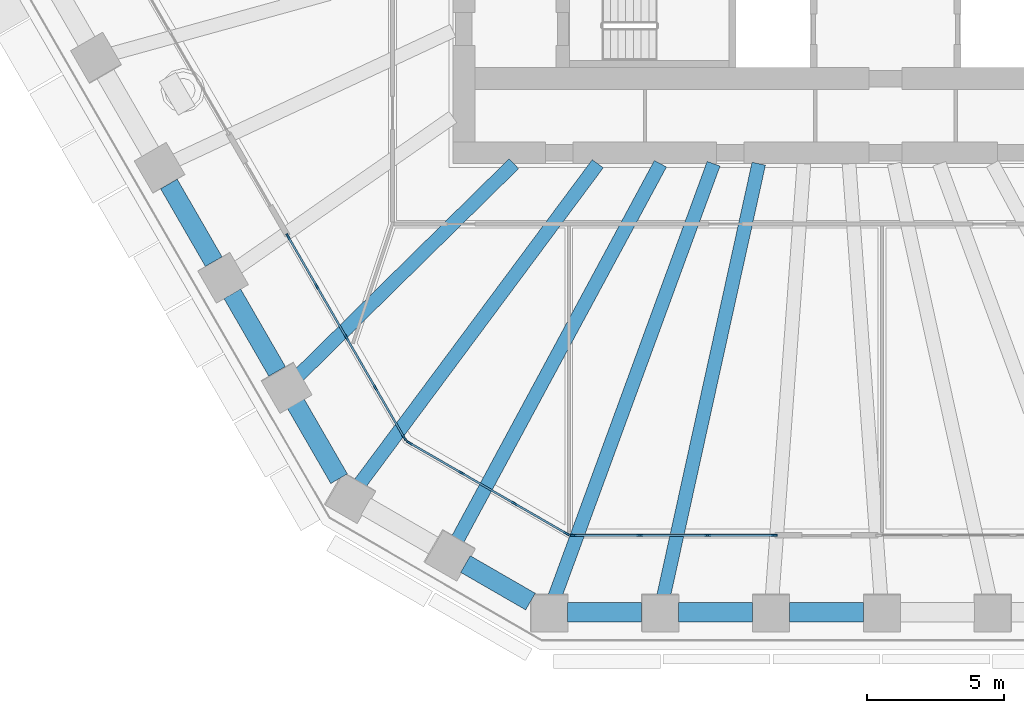
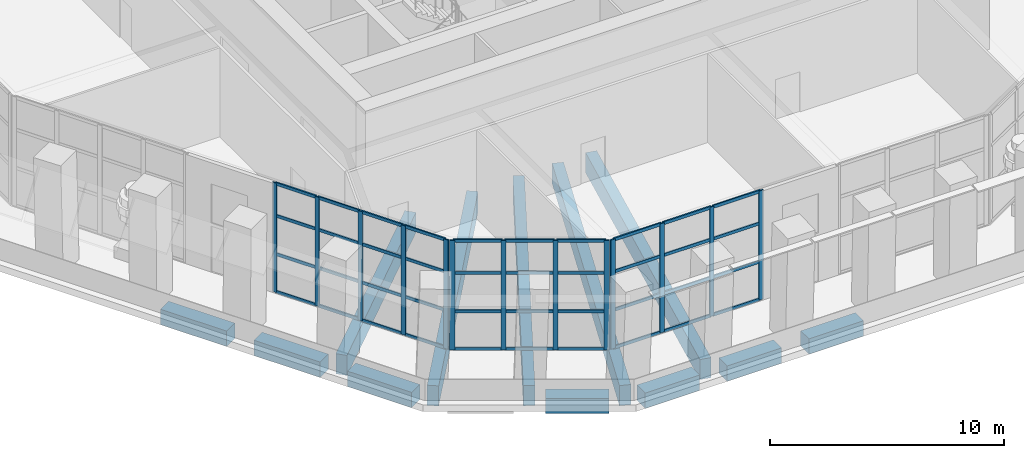
# One storey, part 2 of 22: 53 members, 12 beams, 3 elements without a shape of their own.
"""IFC4 building model written with IfcOpenShell, lengths in metres."""

from ifc_helpers import new_model, si_unit, direction, frame, origin, origin_2d, place, context, subcontext, project, spatial, rectangle, extrude, material, material_profile, profile_set, type_object, element, aggregate, save


model = new_model("IFC4")

# Units and contexts
model_context = context("Model", 3, precision=1e-05, world=origin(), true_north=direction((0.0, 1.0)))
body_context = subcontext(model_context, "Body", "Model", "MODEL_VIEW")
ifc_project = project(units=[si_unit("LENGTHUNIT", "METRE"), si_unit("AREAUNIT", "SQUARE_METRE"), si_unit("VOLUMEUNIT", "CUBIC_METRE"), si_unit("PLANEANGLEUNIT", "RADIAN"), si_unit("MASSUNIT", "GRAM", prefix="KILO")], contexts=[model_context])

# Site, building, storey
site_placement = place(None, origin())
site = spatial("IfcSite", under=ifc_project, at=site_placement, CompositionType="ELEMENT")
building_placement = place(site_placement, origin())
building = spatial("IfcBuilding", under=site, at=building_placement, Name="Frailejon Research Tower", CompositionType="ELEMENT")
storey_placement = place(building_placement, frame((0.0, 0.0, 107.199951171875)))
storey = spatial("IfcBuildingStorey", under=building, at=storey_placement, Name="L23", CompositionType="ELEMENT", Elevation=107.199951171875)

# Beams
ifc_material_1 = material(Name="Concrete C60/75", Category="concrete")
ifc_material_profile_1 = material_profile(ifc_material_1, rectangle(XDim=0.5, YDim=1.050048828125, at=origin_2d()), Name="Girder 500x1050")
ifc_profile_set_1 = profile_set([ifc_material_profile_1], Name="Concrete C60/75")
beam_type_1 = type_object("IfcBeamType", Name="Girder 500x1050", PredefinedType="BEAM", material=ifc_profile_set_1)
beam_1_placement = place(storey_placement, frame((-19.271484375, -18.96142578125, -0.824951171875), z_axis=(0.712819428468, 0.701347604544, 0.0), x_axis=(-0.701347604544, 0.712819428468, 0.0)))
element("IfcBeam", 1, at=beam_1_placement, inside=storey, type_object=beam_type_1, Name="Girder 500x1050", PredefinedType="BEAM", context=body_context, shape_type="SweptSolid", body=[
    extrude(rectangle(XDim=0.5, YDim=1.050048828125, at=origin_2d()), origin(), (0.0, 0.0, 1.0), 11.06640625),
])
beam_2_placement = place(storey_placement, frame((-17.0380859375, -22.9169921875, -0.824951171875), z_axis=(0.596647822668, 0.80250319358, 0.0), x_axis=(-0.80250319358, 0.596647822668, 0.0)))
element("IfcBeam", 2, at=beam_2_placement, inside=storey, type_object=beam_type_1, Name="Girder 500x1050", PredefinedType="BEAM", context=body_context, shape_type="SweptSolid", body=[
    extrude(rectangle(XDim=0.5, YDim=1.050048828125, at=origin_2d()), origin(), (0.0, 0.0, 1.0), 14.6005859375),
])
beam_3_placement = place(storey_placement, frame((-13.477783203125, -24.9736328125, -0.824951171875), z_axis=(0.474929341402, 0.880023931877, 0.0), x_axis=(-0.880023931877, 0.474929341402, 0.0)))
element("IfcBeam", 3, at=beam_3_placement, inside=storey, type_object=beam_type_1, Name="Girder 500x1050", PredefinedType="BEAM", context=body_context, shape_type="SweptSolid", body=[
    extrude(rectangle(XDim=0.5, YDim=1.050048828125, at=origin_2d()), origin(), (0.0, 0.0, 1.0), 15.6513671875),
])
beam_4_placement = place(storey_placement, frame((-9.90478515625, -26.99560546875, -0.824951171875), z_axis=(0.344446929081, 0.93880579091, 0.0), x_axis=(-0.93880579091, 0.344446929081, 0.0)))
element("IfcBeam", 4, at=beam_4_placement, inside=storey, type_object=beam_type_1, Name="Girder 500x1050", PredefinedType="BEAM", context=body_context, shape_type="SweptSolid", body=[
    extrude(rectangle(XDim=0.5, YDim=1.050048828125, at=origin_2d()), origin(), (0.0, 0.0, 1.0), 16.8251953125),
])
beam_5_placement = place(storey_placement, frame((-5.944091796875, -27.001220703125, -0.824951171875), z_axis=(0.214993618571, 0.976615453479, 0.0), x_axis=(-0.976615453479, 0.214993618571, 0.0)))
element("IfcBeam", 5, at=beam_5_placement, inside=storey, type_object=beam_type_1, Name="Girder 500x1050", PredefinedType="BEAM", context=body_context, shape_type="SweptSolid", body=[
    extrude(rectangle(XDim=0.5, YDim=1.050048828125, at=origin_2d()), origin(), (0.0, 0.0, 1.0), 16.1796875),
])

# Curtain wall, members
ifc_material_2 = material(Name="Aluminium curtain wall", Category="aluminium")
curtain_wall_type = type_object("IfcCurtainWallType", Name="Sky lobby curtain wall system", PredefinedType="NOTDEFINED", material=ifc_material_2)
curtain_wall_1_placement = place(storey_placement, origin())
curtain_wall_1 = element("IfcCurtainWall", 6, at=curtain_wall_1_placement, inside=storey, type_object=curtain_wall_type, Name="Curtain wall L23", PredefinedType="NOTDEFINED")
ifc_material_3 = material(Name="Aluminium extrusion", Category="aluminium")
ifc_material_profile_2 = material_profile(ifc_material_3, rectangle(XDim=0.070068359375, YDim=0.219970703125, at=origin_2d()), Name="Sky lobby curtain wall mullion 70x220")
ifc_profile_set_2 = profile_set([ifc_material_profile_2], Name="Aluminium extrusion")
member_type_1 = type_object("IfcMemberType", Name="Sky lobby curtain wall mullion 70x220", PredefinedType="MULLION", material=ifc_profile_set_2)
member_1_placement = place(storey_placement, frame((-19.601806640625, -13.848876953125, 0.0), z_axis=(0.0, 0.0, 1.0), x_axis=(0.866025500668, 0.499999832193, 0.0)))
member_1 = element("IfcMember", 7, at=member_1_placement, type_object=member_type_1, Name="CW4-092 mullion 1", PredefinedType="MULLION", context=body_context, shape_type="SweptSolid", body=[
    extrude(rectangle(XDim=0.070068359375, YDim=0.219970703125, at=origin_2d()), origin(), (0.0, 0.0, 1.0), 5.699951171875),
])
member_2_placement = place(storey_placement, frame((-18.552978515625, -15.665283203125, 0.0), z_axis=(0.0, 0.0, 1.0), x_axis=(0.866025500668, 0.499999832193, 0.0)))
member_2 = element("IfcMember", 8, at=member_2_placement, type_object=member_type_1, Name="CW4-092 mullion 2", PredefinedType="MULLION", context=body_context, shape_type="SweptSolid", body=[
    extrude(rectangle(XDim=0.070068359375, YDim=0.219970703125, at=origin_2d()), origin(), (0.0, 0.0, 1.0), 5.699951171875),
])
member_3_placement = place(storey_placement, frame((-17.48681640625, -17.51220703125, 0.0), z_axis=(0.0, 0.0, 1.0), x_axis=(0.866025500668, 0.499999832193, 0.0)))
member_3 = element("IfcMember", 9, at=member_3_placement, type_object=member_type_1, Name="CW4-092 mullion 3", PredefinedType="MULLION", context=body_context, shape_type="SweptSolid", body=[
    extrude(rectangle(XDim=0.070068359375, YDim=0.219970703125, at=origin_2d()), origin(), (0.0, 0.0, 1.0), 5.699951171875),
])
member_4_placement = place(storey_placement, frame((-16.42041015625, -19.35888671875, 0.0), z_axis=(0.0, 0.0, 1.0), x_axis=(0.866025500668, 0.499999832193, 0.0)))
member_4 = element("IfcMember", 10, at=member_4_placement, type_object=member_type_1, Name="CW4-092 mullion 4", PredefinedType="MULLION", context=body_context, shape_type="SweptSolid", body=[
    extrude(rectangle(XDim=0.070068359375, YDim=0.219970703125, at=origin_2d()), origin(), (0.0, 0.0, 1.0), 5.699951171875),
])
member_5_placement = place(storey_placement, frame((-15.37158203125, -21.17529296875, 0.0), z_axis=(0.0, 0.0, 1.0), x_axis=(0.866025500668, 0.499999832193, 0.0)))
member_5 = element("IfcMember", 11, at=member_5_placement, type_object=member_type_1, Name="CW4-092 mullion 5", PredefinedType="MULLION", context=body_context, shape_type="SweptSolid", body=[
    extrude(rectangle(XDim=0.070068359375, YDim=0.219970703125, at=origin_2d()), origin(), (0.0, 0.0, 1.0), 5.699951171875),
])

curtain_wall_2_placement = place(storey_placement, origin())
curtain_wall_2 = element("IfcCurtainWall", 12, at=curtain_wall_2_placement, inside=storey, type_object=curtain_wall_type, Name="Curtain wall L23", PredefinedType="NOTDEFINED")
member_6_placement = place(storey_placement, frame((-15.187255859375, -21.35986328125, 0.0), z_axis=(0.0, 0.0, 1.0), x_axis=(0.50000949527, 0.866019921618, 0.0)))
member_6 = element("IfcMember", 13, at=member_6_placement, type_object=member_type_1, Name="CW4-093 mullion 1", PredefinedType="MULLION", context=body_context, shape_type="SweptSolid", body=[
    extrude(rectangle(XDim=0.070068359375, YDim=0.219970703125, at=origin_2d()), origin(), (0.0, 0.0, 1.0), 5.699951171875),
])
member_7_placement = place(storey_placement, frame((-13.290771484375, -22.454833984375, 0.0), z_axis=(0.0, 0.0, 1.0), x_axis=(0.50000949527, 0.866019921618, 0.0)))
member_7 = element("IfcMember", 14, at=member_7_placement, type_object=member_type_1, Name="CW4-093 mullion 2", PredefinedType="MULLION", context=body_context, shape_type="SweptSolid", body=[
    extrude(rectangle(XDim=0.070068359375, YDim=0.219970703125, at=origin_2d()), origin(), (0.0, 0.0, 1.0), 5.699951171875),
])
member_8_placement = place(storey_placement, frame((-11.364013671875, -23.567138671875, 0.0), z_axis=(0.0, 0.0, 1.0), x_axis=(0.50000949527, 0.866019921618, 0.0)))
member_8 = element("IfcMember", 15, at=member_8_placement, type_object=member_type_1, Name="CW4-093 mullion 3", PredefinedType="MULLION", context=body_context, shape_type="SweptSolid", body=[
    extrude(rectangle(XDim=0.070068359375, YDim=0.219970703125, at=origin_2d()), origin(), (0.0, 0.0, 1.0), 5.699951171875),
])
member_9_placement = place(storey_placement, frame((-9.467529296875, -24.662109375, 0.0), z_axis=(0.0, 0.0, 1.0), x_axis=(0.50000949527, 0.866019921618, 0.0)))
member_9 = element("IfcMember", 16, at=member_9_placement, type_object=member_type_1, Name="CW4-093 mullion 4", PredefinedType="MULLION", context=body_context, shape_type="SweptSolid", body=[
    extrude(rectangle(XDim=0.070068359375, YDim=0.219970703125, at=origin_2d()), origin(), (0.0, 0.0, 1.0), 5.699951171875),
])

curtain_wall_3_placement = place(storey_placement, origin())
curtain_wall_3 = element("IfcCurtainWall", 17, at=curtain_wall_3_placement, inside=storey, type_object=curtain_wall_type, Name="Curtain wall L23", PredefinedType="NOTDEFINED")
member_10_placement = place(storey_placement, frame((-9.215576171875, -24.729736328125, 0.0), z_axis=(0.0, 0.0, 1.0), x_axis=(0.0, 1.0, 0.0)))
member_10 = element("IfcMember", 18, at=member_10_placement, type_object=member_type_1, Name="CW4-094 mullion 1", PredefinedType="MULLION", context=body_context, shape_type="SweptSolid", body=[
    extrude(rectangle(XDim=0.070068359375, YDim=0.219970703125, at=origin_2d()), origin(), (0.0, 0.0, 1.0), 5.699951171875),
])
member_11_placement = place(storey_placement, frame((-6.79052734375, -24.729736328125, 0.0), z_axis=(0.0, 0.0, 1.0), x_axis=(0.0, 1.0, 0.0)))
member_11 = element("IfcMember", 19, at=member_11_placement, type_object=member_type_1, Name="CW4-094 mullion 2", PredefinedType="MULLION", context=body_context, shape_type="SweptSolid", body=[
    extrude(rectangle(XDim=0.070068359375, YDim=0.219970703125, at=origin_2d()), origin(), (0.0, 0.0, 1.0), 5.699951171875),
])
member_12_placement = place(storey_placement, frame((-4.330322265625, -24.729736328125, 0.0), z_axis=(0.0, 0.0, 1.0), x_axis=(0.0, 1.0, 0.0)))
member_12 = element("IfcMember", 20, at=member_12_placement, type_object=member_type_1, Name="CW4-094 mullion 3", PredefinedType="MULLION", context=body_context, shape_type="SweptSolid", body=[
    extrude(rectangle(XDim=0.070068359375, YDim=0.219970703125, at=origin_2d()), origin(), (0.0, 0.0, 1.0), 5.699951171875),
])
member_13_placement = place(storey_placement, frame((-1.905029296875, -24.729736328125, 0.0), z_axis=(0.0, 0.0, 1.0), x_axis=(0.0, 1.0, 0.0)))
member_13 = element("IfcMember", 21, at=member_13_placement, type_object=member_type_1, Name="CW4-094 mullion 4", PredefinedType="MULLION", context=body_context, shape_type="SweptSolid", body=[
    extrude(rectangle(XDim=0.070068359375, YDim=0.219970703125, at=origin_2d()), origin(), (0.0, 0.0, 1.0), 5.699951171875),
])

# Member
ifc_material_4 = material(Name="Aluminium extrusion", Category="aluminium")
ifc_material_profile_3 = material_profile(ifc_material_4, rectangle(XDim=0.070068359375, YDim=0.159912109375, at=origin_2d()), Name="Sky lobby curtain wall transom 70x160")
ifc_profile_set_3 = profile_set([ifc_material_profile_3], Name="Aluminium extrusion")
member_type_2 = type_object("IfcMemberType", Name="Sky lobby curtain wall transom 70x160", PredefinedType="USERDEFINED", material=ifc_profile_set_3)
member_14_placement = place(storey_placement, frame((-19.584228515625, -13.879150390625, 0.03515625), z_axis=(0.499972622635, -0.866041209536, 0.0), x_axis=(0.866041209536, 0.499972622635, 0.0)))
member_14 = element("IfcMember", 22, at=member_14_placement, type_object=member_type_2, Name="CW4-092 transom 1.1", ObjectType="TRANSOM", PredefinedType="USERDEFINED", context=body_context, shape_type="SweptSolid", body=[
    extrude(rectangle(XDim=0.070068359375, YDim=0.159912109375, at=origin_2d()), origin(), (0.0, 0.0, 1.0), 2.02734375),
])

member_15_placement = place(storey_placement, frame((-19.584228515625, -13.879150390625, 2.0), z_axis=(0.499972622635, -0.866041209536, 0.0), x_axis=(0.866041209536, 0.499972622635, 0.0)))
member_15 = element("IfcMember", 23, at=member_15_placement, type_object=member_type_2, Name="CW4-092 transom 1.2", ObjectType="TRANSOM", PredefinedType="USERDEFINED", context=body_context, shape_type="SweptSolid", body=[
    extrude(rectangle(XDim=0.070068359375, YDim=0.159912109375, at=origin_2d()), origin(), (0.0, 0.0, 1.0), 2.02734375),
])

member_16_placement = place(storey_placement, frame((-19.584228515625, -13.879150390625, 4.0), z_axis=(0.499972622635, -0.866041209536, 0.0), x_axis=(0.866041209536, 0.499972622635, 0.0)))
member_16 = element("IfcMember", 24, at=member_16_placement, type_object=member_type_2, Name="CW4-092 transom 1.3", ObjectType="TRANSOM", PredefinedType="USERDEFINED", context=body_context, shape_type="SweptSolid", body=[
    extrude(rectangle(XDim=0.070068359375, YDim=0.159912109375, at=origin_2d()), origin(), (0.0, 0.0, 1.0), 2.02734375),
])

member_17_placement = place(storey_placement, frame((-19.584228515625, -13.879150390625, 5.6650390625), z_axis=(0.499972622635, -0.866041209536, 0.0), x_axis=(0.866041209536, 0.499972622635, 0.0)))
member_17 = element("IfcMember", 25, at=member_17_placement, type_object=member_type_2, Name="CW4-092 transom 1.4", ObjectType="TRANSOM", PredefinedType="USERDEFINED", context=body_context, shape_type="SweptSolid", body=[
    extrude(rectangle(XDim=0.070068359375, YDim=0.159912109375, at=origin_2d()), origin(), (0.0, 0.0, 1.0), 2.02734375),
])

member_18_placement = place(storey_placement, frame((-18.535400390625, -15.695556640625, 0.03515625), z_axis=(0.500009360108, -0.866019999656, 0.0), x_axis=(0.866019999656, 0.500009360108, 0.0)))
member_18 = element("IfcMember", 26, at=member_18_placement, type_object=member_type_2, Name="CW4-092 transom 2.1", ObjectType="TRANSOM", PredefinedType="USERDEFINED", context=body_context, shape_type="SweptSolid", body=[
    extrude(rectangle(XDim=0.070068359375, YDim=0.159912109375, at=origin_2d()), origin(), (0.0, 0.0, 1.0), 2.0625),
])

member_19_placement = place(storey_placement, frame((-18.535400390625, -15.695556640625, 2.0), z_axis=(0.500009360108, -0.866019999656, 0.0), x_axis=(0.866019999656, 0.500009360108, 0.0)))
member_19 = element("IfcMember", 27, at=member_19_placement, type_object=member_type_2, Name="CW4-092 transom 2.2", ObjectType="TRANSOM", PredefinedType="USERDEFINED", context=body_context, shape_type="SweptSolid", body=[
    extrude(rectangle(XDim=0.070068359375, YDim=0.159912109375, at=origin_2d()), origin(), (0.0, 0.0, 1.0), 2.0625),
])

member_20_placement = place(storey_placement, frame((-18.535400390625, -15.695556640625, 4.0), z_axis=(0.500009360108, -0.866019999656, 0.0), x_axis=(0.866019999656, 0.500009360108, 0.0)))
member_20 = element("IfcMember", 28, at=member_20_placement, type_object=member_type_2, Name="CW4-092 transom 2.3", ObjectType="TRANSOM", PredefinedType="USERDEFINED", context=body_context, shape_type="SweptSolid", body=[
    extrude(rectangle(XDim=0.070068359375, YDim=0.159912109375, at=origin_2d()), origin(), (0.0, 0.0, 1.0), 2.0625),
])

member_21_placement = place(storey_placement, frame((-18.535400390625, -15.695556640625, 5.6650390625), z_axis=(0.500009360108, -0.866019999656, 0.0), x_axis=(0.866019999656, 0.500009360108, 0.0)))
member_21 = element("IfcMember", 29, at=member_21_placement, type_object=member_type_2, Name="CW4-092 transom 2.4", ObjectType="TRANSOM", PredefinedType="USERDEFINED", context=body_context, shape_type="SweptSolid", body=[
    extrude(rectangle(XDim=0.070068359375, YDim=0.159912109375, at=origin_2d()), origin(), (0.0, 0.0, 1.0), 2.0625),
])

member_22_placement = place(storey_placement, frame((-17.46923828125, -17.54248046875, 0.03515625), z_axis=(0.500009360108, -0.866019999656, 0.0), x_axis=(0.866019999656, 0.500009360108, 0.0)))
member_22 = element("IfcMember", 30, at=member_22_placement, type_object=member_type_2, Name="CW4-092 transom 3.1", ObjectType="TRANSOM", PredefinedType="USERDEFINED", context=body_context, shape_type="SweptSolid", body=[
    extrude(rectangle(XDim=0.070068359375, YDim=0.159912109375, at=origin_2d()), origin(), (0.0, 0.0, 1.0), 2.0625),
])

member_23_placement = place(storey_placement, frame((-17.46923828125, -17.54248046875, 2.0), z_axis=(0.500009360108, -0.866019999656, 0.0), x_axis=(0.866019999656, 0.500009360108, 0.0)))
member_23 = element("IfcMember", 31, at=member_23_placement, type_object=member_type_2, Name="CW4-092 transom 3.2", ObjectType="TRANSOM", PredefinedType="USERDEFINED", context=body_context, shape_type="SweptSolid", body=[
    extrude(rectangle(XDim=0.070068359375, YDim=0.159912109375, at=origin_2d()), origin(), (0.0, 0.0, 1.0), 2.0625),
])

member_24_placement = place(storey_placement, frame((-17.46923828125, -17.54248046875, 4.0), z_axis=(0.500009360108, -0.866019999656, 0.0), x_axis=(0.866019999656, 0.500009360108, 0.0)))
member_24 = element("IfcMember", 32, at=member_24_placement, type_object=member_type_2, Name="CW4-092 transom 3.3", ObjectType="TRANSOM", PredefinedType="USERDEFINED", context=body_context, shape_type="SweptSolid", body=[
    extrude(rectangle(XDim=0.070068359375, YDim=0.159912109375, at=origin_2d()), origin(), (0.0, 0.0, 1.0), 2.0625),
])

member_25_placement = place(storey_placement, frame((-17.46923828125, -17.54248046875, 5.6650390625), z_axis=(0.500009360108, -0.866019999656, 0.0), x_axis=(0.866019999656, 0.500009360108, 0.0)))
member_25 = element("IfcMember", 33, at=member_25_placement, type_object=member_type_2, Name="CW4-092 transom 3.4", ObjectType="TRANSOM", PredefinedType="USERDEFINED", context=body_context, shape_type="SweptSolid", body=[
    extrude(rectangle(XDim=0.070068359375, YDim=0.159912109375, at=origin_2d()), origin(), (0.0, 0.0, 1.0), 2.0625),
])

member_26_placement = place(storey_placement, frame((-16.40283203125, -19.38916015625, 0.03515625), z_axis=(0.499972622635, -0.866041209536, 0.0), x_axis=(0.866041209536, 0.499972622635, 0.0)))
member_26 = element("IfcMember", 34, at=member_26_placement, type_object=member_type_2, Name="CW4-092 transom 4.1", ObjectType="TRANSOM", PredefinedType="USERDEFINED", context=body_context, shape_type="SweptSolid", body=[
    extrude(rectangle(XDim=0.070068359375, YDim=0.159912109375, at=origin_2d()), origin(), (0.0, 0.0, 1.0), 2.02734375),
])

member_27_placement = place(storey_placement, frame((-16.40283203125, -19.38916015625, 2.0), z_axis=(0.499972622635, -0.866041209536, 0.0), x_axis=(0.866041209536, 0.499972622635, 0.0)))
member_27 = element("IfcMember", 35, at=member_27_placement, type_object=member_type_2, Name="CW4-092 transom 4.2", ObjectType="TRANSOM", PredefinedType="USERDEFINED", context=body_context, shape_type="SweptSolid", body=[
    extrude(rectangle(XDim=0.070068359375, YDim=0.159912109375, at=origin_2d()), origin(), (0.0, 0.0, 1.0), 2.02734375),
])

member_28_placement = place(storey_placement, frame((-16.40283203125, -19.38916015625, 4.0), z_axis=(0.499972622635, -0.866041209536, 0.0), x_axis=(0.866041209536, 0.499972622635, 0.0)))
member_28 = element("IfcMember", 36, at=member_28_placement, type_object=member_type_2, Name="CW4-092 transom 4.3", ObjectType="TRANSOM", PredefinedType="USERDEFINED", context=body_context, shape_type="SweptSolid", body=[
    extrude(rectangle(XDim=0.070068359375, YDim=0.159912109375, at=origin_2d()), origin(), (0.0, 0.0, 1.0), 2.02734375),
])

member_29_placement = place(storey_placement, frame((-16.40283203125, -19.38916015625, 5.6650390625), z_axis=(0.499972622635, -0.866041209536, 0.0), x_axis=(0.866041209536, 0.499972622635, 0.0)))
member_29 = element("IfcMember", 37, at=member_29_placement, type_object=member_type_2, Name="CW4-092 transom 4.4", ObjectType="TRANSOM", PredefinedType="USERDEFINED", context=body_context, shape_type="SweptSolid", body=[
    extrude(rectangle(XDim=0.070068359375, YDim=0.159912109375, at=origin_2d()), origin(), (0.0, 0.0, 1.0), 2.02734375),
])

aggregate(curtain_wall_1, [member_1, member_2, member_3, member_4, member_5, member_14, member_15, member_16, member_17, member_18, member_19, member_20, member_21, member_22, member_23, member_24, member_25, member_26, member_27, member_28, member_29])

member_30_placement = place(storey_placement, frame((-15.156982421875, -21.377197265625, 0.03515625), z_axis=(0.866009148195, -0.50002815445, 0.0), x_axis=(0.50002815445, 0.866009148195, 0.0)))
member_30 = element("IfcMember", 38, at=member_30_placement, type_object=member_type_2, Name="CW4-093 transom 1.1", ObjectType="TRANSOM", PredefinedType="USERDEFINED", context=body_context, shape_type="SweptSolid", body=[
    extrude(rectangle(XDim=0.070068359375, YDim=0.159912109375, at=origin_2d()), origin(), (0.0, 0.0, 1.0), 2.1201171875),
])

member_31_placement = place(storey_placement, frame((-15.156982421875, -21.377197265625, 2.0), z_axis=(0.866009148195, -0.50002815445, 0.0), x_axis=(0.50002815445, 0.866009148195, 0.0)))
member_31 = element("IfcMember", 39, at=member_31_placement, type_object=member_type_2, Name="CW4-093 transom 1.2", ObjectType="TRANSOM", PredefinedType="USERDEFINED", context=body_context, shape_type="SweptSolid", body=[
    extrude(rectangle(XDim=0.070068359375, YDim=0.159912109375, at=origin_2d()), origin(), (0.0, 0.0, 1.0), 2.1201171875),
])

member_32_placement = place(storey_placement, frame((-15.156982421875, -21.377197265625, 4.0), z_axis=(0.866009148195, -0.50002815445, 0.0), x_axis=(0.50002815445, 0.866009148195, 0.0)))
member_32 = element("IfcMember", 40, at=member_32_placement, type_object=member_type_2, Name="CW4-093 transom 1.3", ObjectType="TRANSOM", PredefinedType="USERDEFINED", context=body_context, shape_type="SweptSolid", body=[
    extrude(rectangle(XDim=0.070068359375, YDim=0.159912109375, at=origin_2d()), origin(), (0.0, 0.0, 1.0), 2.1201171875),
])

member_33_placement = place(storey_placement, frame((-15.156982421875, -21.377197265625, 5.6650390625), z_axis=(0.866009148195, -0.50002815445, 0.0), x_axis=(0.50002815445, 0.866009148195, 0.0)))
member_33 = element("IfcMember", 41, at=member_33_placement, type_object=member_type_2, Name="CW4-093 transom 1.4", ObjectType="TRANSOM", PredefinedType="USERDEFINED", context=body_context, shape_type="SweptSolid", body=[
    extrude(rectangle(XDim=0.070068359375, YDim=0.159912109375, at=origin_2d()), origin(), (0.0, 0.0, 1.0), 2.1201171875),
])

member_34_placement = place(storey_placement, frame((-13.260498046875, -22.47216796875, 0.03515625), z_axis=(0.865989367796, -0.500062410969, 0.0), x_axis=(0.500062410969, 0.865989367796, 0.0)))
member_34 = element("IfcMember", 42, at=member_34_placement, type_object=member_type_2, Name="CW4-093 transom 2.1", ObjectType="TRANSOM", PredefinedType="USERDEFINED", context=body_context, shape_type="SweptSolid", body=[
    extrude(rectangle(XDim=0.070068359375, YDim=0.159912109375, at=origin_2d()), origin(), (0.0, 0.0, 1.0), 2.155029296875),
])

member_35_placement = place(storey_placement, frame((-13.260498046875, -22.47216796875, 2.0), z_axis=(0.865989367796, -0.500062410969, 0.0), x_axis=(0.500062410969, 0.865989367796, 0.0)))
member_35 = element("IfcMember", 43, at=member_35_placement, type_object=member_type_2, Name="CW4-093 transom 2.2", ObjectType="TRANSOM", PredefinedType="USERDEFINED", context=body_context, shape_type="SweptSolid", body=[
    extrude(rectangle(XDim=0.070068359375, YDim=0.159912109375, at=origin_2d()), origin(), (0.0, 0.0, 1.0), 2.155029296875),
])

member_36_placement = place(storey_placement, frame((-13.260498046875, -22.47216796875, 4.0), z_axis=(0.865989367796, -0.500062410969, 0.0), x_axis=(0.500062410969, 0.865989367796, 0.0)))
member_36 = element("IfcMember", 44, at=member_36_placement, type_object=member_type_2, Name="CW4-093 transom 2.3", ObjectType="TRANSOM", PredefinedType="USERDEFINED", context=body_context, shape_type="SweptSolid", body=[
    extrude(rectangle(XDim=0.070068359375, YDim=0.159912109375, at=origin_2d()), origin(), (0.0, 0.0, 1.0), 2.155029296875),
])

member_37_placement = place(storey_placement, frame((-13.260498046875, -22.47216796875, 5.6650390625), z_axis=(0.865989367796, -0.500062410969, 0.0), x_axis=(0.500062410969, 0.865989367796, 0.0)))
member_37 = element("IfcMember", 45, at=member_37_placement, type_object=member_type_2, Name="CW4-093 transom 2.4", ObjectType="TRANSOM", PredefinedType="USERDEFINED", context=body_context, shape_type="SweptSolid", body=[
    extrude(rectangle(XDim=0.070068359375, YDim=0.159912109375, at=origin_2d()), origin(), (0.0, 0.0, 1.0), 2.155029296875),
])

member_38_placement = place(storey_placement, frame((-11.333740234375, -23.584716796875, 0.03515625), z_axis=(0.866009148195, -0.50002815445, 0.0), x_axis=(0.50002815445, 0.866009148195, 0.0)))
member_38 = element("IfcMember", 46, at=member_38_placement, type_object=member_type_2, Name="CW4-093 transom 3.1", ObjectType="TRANSOM", PredefinedType="USERDEFINED", context=body_context, shape_type="SweptSolid", body=[
    extrude(rectangle(XDim=0.070068359375, YDim=0.159912109375, at=origin_2d()), origin(), (0.0, 0.0, 1.0), 2.1201171875),
])

member_39_placement = place(storey_placement, frame((-11.333740234375, -23.584716796875, 2.0), z_axis=(0.866009148195, -0.50002815445, 0.0), x_axis=(0.50002815445, 0.866009148195, 0.0)))
member_39 = element("IfcMember", 47, at=member_39_placement, type_object=member_type_2, Name="CW4-093 transom 3.2", ObjectType="TRANSOM", PredefinedType="USERDEFINED", context=body_context, shape_type="SweptSolid", body=[
    extrude(rectangle(XDim=0.070068359375, YDim=0.159912109375, at=origin_2d()), origin(), (0.0, 0.0, 1.0), 2.1201171875),
])

member_40_placement = place(storey_placement, frame((-11.333740234375, -23.584716796875, 4.0), z_axis=(0.866009148195, -0.50002815445, 0.0), x_axis=(0.50002815445, 0.866009148195, 0.0)))
member_40 = element("IfcMember", 48, at=member_40_placement, type_object=member_type_2, Name="CW4-093 transom 3.3", ObjectType="TRANSOM", PredefinedType="USERDEFINED", context=body_context, shape_type="SweptSolid", body=[
    extrude(rectangle(XDim=0.070068359375, YDim=0.159912109375, at=origin_2d()), origin(), (0.0, 0.0, 1.0), 2.1201171875),
])

member_41_placement = place(storey_placement, frame((-11.333740234375, -23.584716796875, 5.6650390625), z_axis=(0.866009148195, -0.50002815445, 0.0), x_axis=(0.50002815445, 0.866009148195, 0.0)))
member_41 = element("IfcMember", 49, at=member_41_placement, type_object=member_type_2, Name="CW4-093 transom 3.4", ObjectType="TRANSOM", PredefinedType="USERDEFINED", context=body_context, shape_type="SweptSolid", body=[
    extrude(rectangle(XDim=0.070068359375, YDim=0.159912109375, at=origin_2d()), origin(), (0.0, 0.0, 1.0), 2.1201171875),
])

aggregate(curtain_wall_2, [member_6, member_7, member_8, member_9, member_30, member_31, member_32, member_33, member_34, member_35, member_36, member_37, member_38, member_39, member_40, member_41])

member_42_placement = place(storey_placement, frame((-9.1806640625, -24.729736328125, 0.03515625), z_axis=(1.0, 0.0, 0.0), x_axis=(0.0, 1.0, 0.0)))
member_42 = element("IfcMember", 50, at=member_42_placement, type_object=member_type_2, Name="CW4-094 transom 1.1", ObjectType="TRANSOM", PredefinedType="USERDEFINED", context=body_context, shape_type="SweptSolid", body=[
    extrude(rectangle(XDim=0.070068359375, YDim=0.159912109375, at=origin_2d()), origin(), (0.0, 0.0, 1.0), 2.355224609375),
])

member_43_placement = place(storey_placement, frame((-9.1806640625, -24.729736328125, 2.0), z_axis=(1.0, 0.0, 0.0), x_axis=(0.0, 1.0, 0.0)))
member_43 = element("IfcMember", 51, at=member_43_placement, type_object=member_type_2, Name="CW4-094 transom 1.2", ObjectType="TRANSOM", PredefinedType="USERDEFINED", context=body_context, shape_type="SweptSolid", body=[
    extrude(rectangle(XDim=0.070068359375, YDim=0.159912109375, at=origin_2d()), origin(), (0.0, 0.0, 1.0), 2.355224609375),
])

member_44_placement = place(storey_placement, frame((-9.1806640625, -24.729736328125, 4.0), z_axis=(1.0, 0.0, 0.0), x_axis=(0.0, 1.0, 0.0)))
member_44 = element("IfcMember", 52, at=member_44_placement, type_object=member_type_2, Name="CW4-094 transom 1.3", ObjectType="TRANSOM", PredefinedType="USERDEFINED", context=body_context, shape_type="SweptSolid", body=[
    extrude(rectangle(XDim=0.070068359375, YDim=0.159912109375, at=origin_2d()), origin(), (0.0, 0.0, 1.0), 2.355224609375),
])

member_45_placement = place(storey_placement, frame((-9.1806640625, -24.729736328125, 5.6650390625), z_axis=(1.0, 0.0, 0.0), x_axis=(0.0, 1.0, 0.0)))
member_45 = element("IfcMember", 53, at=member_45_placement, type_object=member_type_2, Name="CW4-094 transom 1.4", ObjectType="TRANSOM", PredefinedType="USERDEFINED", context=body_context, shape_type="SweptSolid", body=[
    extrude(rectangle(XDim=0.070068359375, YDim=0.159912109375, at=origin_2d()), origin(), (0.0, 0.0, 1.0), 2.355224609375),
])

member_46_placement = place(storey_placement, frame((-6.75537109375, -24.729736328125, 0.03515625), z_axis=(1.0, 0.0, 0.0), x_axis=(0.0, 1.0, 0.0)))
member_46 = element("IfcMember", 54, at=member_46_placement, type_object=member_type_2, Name="CW4-094 transom 2.1", ObjectType="TRANSOM", PredefinedType="USERDEFINED", context=body_context, shape_type="SweptSolid", body=[
    extrude(rectangle(XDim=0.070068359375, YDim=0.159912109375, at=origin_2d()), origin(), (0.0, 0.0, 1.0), 2.39013671875),
])

member_47_placement = place(storey_placement, frame((-6.75537109375, -24.729736328125, 2.0), z_axis=(1.0, 0.0, 0.0), x_axis=(0.0, 1.0, 0.0)))
member_47 = element("IfcMember", 55, at=member_47_placement, type_object=member_type_2, Name="CW4-094 transom 2.2", ObjectType="TRANSOM", PredefinedType="USERDEFINED", context=body_context, shape_type="SweptSolid", body=[
    extrude(rectangle(XDim=0.070068359375, YDim=0.159912109375, at=origin_2d()), origin(), (0.0, 0.0, 1.0), 2.39013671875),
])

member_48_placement = place(storey_placement, frame((-6.75537109375, -24.729736328125, 4.0), z_axis=(1.0, 0.0, 0.0), x_axis=(0.0, 1.0, 0.0)))
member_48 = element("IfcMember", 56, at=member_48_placement, type_object=member_type_2, Name="CW4-094 transom 2.3", ObjectType="TRANSOM", PredefinedType="USERDEFINED", context=body_context, shape_type="SweptSolid", body=[
    extrude(rectangle(XDim=0.070068359375, YDim=0.159912109375, at=origin_2d()), origin(), (0.0, 0.0, 1.0), 2.39013671875),
])

member_49_placement = place(storey_placement, frame((-6.75537109375, -24.729736328125, 5.6650390625), z_axis=(1.0, 0.0, 0.0), x_axis=(0.0, 1.0, 0.0)))
member_49 = element("IfcMember", 57, at=member_49_placement, type_object=member_type_2, Name="CW4-094 transom 2.4", ObjectType="TRANSOM", PredefinedType="USERDEFINED", context=body_context, shape_type="SweptSolid", body=[
    extrude(rectangle(XDim=0.070068359375, YDim=0.159912109375, at=origin_2d()), origin(), (0.0, 0.0, 1.0), 2.39013671875),
])

member_50_placement = place(storey_placement, frame((-4.295166015625, -24.729736328125, 0.03515625), z_axis=(1.0, 0.0, 0.0), x_axis=(0.0, 1.0, 0.0)))
member_50 = element("IfcMember", 58, at=member_50_placement, type_object=member_type_2, Name="CW4-094 transom 3.1", ObjectType="TRANSOM", PredefinedType="USERDEFINED", context=body_context, shape_type="SweptSolid", body=[
    extrude(rectangle(XDim=0.070068359375, YDim=0.159912109375, at=origin_2d()), origin(), (0.0, 0.0, 1.0), 2.35498046875),
])

member_51_placement = place(storey_placement, frame((-4.295166015625, -24.729736328125, 2.0), z_axis=(1.0, 0.0, 0.0), x_axis=(0.0, 1.0, 0.0)))
member_51 = element("IfcMember", 59, at=member_51_placement, type_object=member_type_2, Name="CW4-094 transom 3.2", ObjectType="TRANSOM", PredefinedType="USERDEFINED", context=body_context, shape_type="SweptSolid", body=[
    extrude(rectangle(XDim=0.070068359375, YDim=0.159912109375, at=origin_2d()), origin(), (0.0, 0.0, 1.0), 2.35498046875),
])

member_52_placement = place(storey_placement, frame((-4.295166015625, -24.729736328125, 4.0), z_axis=(1.0, 0.0, 0.0), x_axis=(0.0, 1.0, 0.0)))
member_52 = element("IfcMember", 60, at=member_52_placement, type_object=member_type_2, Name="CW4-094 transom 3.3", ObjectType="TRANSOM", PredefinedType="USERDEFINED", context=body_context, shape_type="SweptSolid", body=[
    extrude(rectangle(XDim=0.070068359375, YDim=0.159912109375, at=origin_2d()), origin(), (0.0, 0.0, 1.0), 2.35498046875),
])

member_53_placement = place(storey_placement, frame((-4.295166015625, -24.729736328125, 5.6650390625), z_axis=(1.0, 0.0, 0.0), x_axis=(0.0, 1.0, 0.0)))
member_53 = element("IfcMember", 61, at=member_53_placement, type_object=member_type_2, Name="CW4-094 transom 3.4", ObjectType="TRANSOM", PredefinedType="USERDEFINED", context=body_context, shape_type="SweptSolid", body=[
    extrude(rectangle(XDim=0.070068359375, YDim=0.159912109375, at=origin_2d()), origin(), (0.0, 0.0, 1.0), 2.35498046875),
])

aggregate(curtain_wall_3, [member_10, member_11, member_12, member_13, member_42, member_43, member_44, member_45, member_46, member_47, member_48, member_49, member_50, member_51, member_52, member_53])

# Beams
ifc_material_5 = material(Name="Concrete C60/75", Category="concrete")
ifc_material_profile_4 = material_profile(ifc_material_5, rectangle(XDim=0.699951171875, YDim=0.800048828125, at=origin_2d()), Name="Spandrel 700x800")
ifc_profile_set_4 = profile_set([ifc_material_profile_4], Name="Concrete C60/75")
beam_type_2 = type_object("IfcBeamType", Name="Spandrel 700x800", PredefinedType="BEAM", material=ifc_profile_set_4)
for number, where, z_axis, x_axis, name in (
    (62, (-23.939208984375, -11.936279296875, -0.75), (0.500007244493, -0.866021221134, 0.0), (0.866021221134, 0.500007244493, 0.0), "Spandrel 700x800"),
    (63, (-21.631591796875, -15.93310546875, -0.75), (0.500007244493, -0.866021221134, 0.0), (0.866021221134, 0.500007244493, 0.0), "Spandrel 700x800"),
):
    element("IfcBeam", number, at=place(storey_placement, frame(where, z_axis=z_axis, x_axis=x_axis)), inside=storey, type_object=beam_type_2, Name=name, PredefinedType="BEAM", context=body_context, shape_type="SweptSolid", body=[
        extrude(rectangle(XDim=0.699951171875, YDim=0.800048828125, at=origin_2d()), origin(), (0.0, 0.0, 1.0), 3.26513671875),
    ])
beam_6_placement = place(storey_placement, frame((-19.323974609375, -19.929931640625, -0.75), z_axis=(0.500018894391, -0.866014494828, 0.0), x_axis=(0.866014494828, 0.500018894391, 0.0)))
element("IfcBeam", 64, at=beam_6_placement, inside=storey, type_object=beam_type_2, Name="Spandrel 700x800", PredefinedType="BEAM", context=body_context, shape_type="SweptSolid", body=[
    extrude(rectangle(XDim=0.699951171875, YDim=0.800048828125, at=origin_2d()), origin(), (0.0, 0.0, 1.0), 3.16064453125),
])
beam_7_placement = place(storey_placement, frame((-13.142822265625, -25.7734375, -0.75), z_axis=(0.866041295585, -0.499972473583, 0.0), x_axis=(0.499972473583, 0.866041295585, 0.0)))
element("IfcBeam", 65, at=beam_7_placement, inside=storey, type_object=beam_type_2, Name="Spandrel 700x800", PredefinedType="BEAM", context=body_context, shape_type="SweptSolid", body=[
    extrude(rectangle(XDim=0.699951171875, YDim=0.800048828125, at=origin_2d()), origin(), (0.0, 0.0, 1.0), 2.733154296875),
])
for number, where, z_axis, x_axis, name in (
    (66, (-9.42578125, -27.52978515625, -0.75), (1.0, 0.0, 0.0), (0.0, 1.0, 0.0), "Spandrel 700x800"),
    (67, (-5.385498046875, -27.52978515625, -0.75), (1.0, 0.0, 0.0), (0.0, 1.0, 0.0), "Spandrel 700x800"),
):
    element("IfcBeam", number, at=place(storey_placement, frame(where, z_axis=z_axis, x_axis=x_axis)), inside=storey, type_object=beam_type_2, Name=name, PredefinedType="BEAM", context=body_context, shape_type="SweptSolid", body=[
        extrude(rectangle(XDim=0.699951171875, YDim=0.800048828125, at=origin_2d()), origin(), (0.0, 0.0, 1.0), 2.690185546875),
    ])
beam_8_placement = place(storey_placement, frame((-1.34521484375, -27.52978515625, -0.75), z_axis=(1.0, 0.0, 0.0), x_axis=(0.0, 1.0, 0.0)))
element("IfcBeam", 68, at=beam_8_placement, inside=storey, type_object=beam_type_2, Name="Spandrel 700x800", PredefinedType="BEAM", context=body_context, shape_type="SweptSolid", body=[
    extrude(rectangle(XDim=0.699951171875, YDim=0.800048828125, at=origin_2d()), origin(), (0.0, 0.0, 1.0), 2.6904296875),
])

save(model, "model.ifc")
